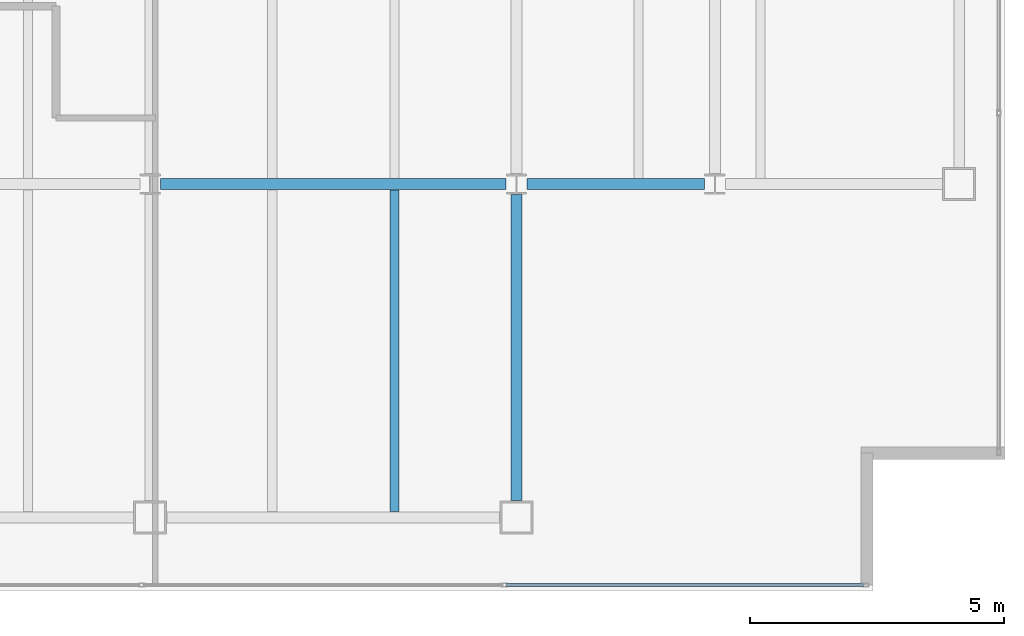
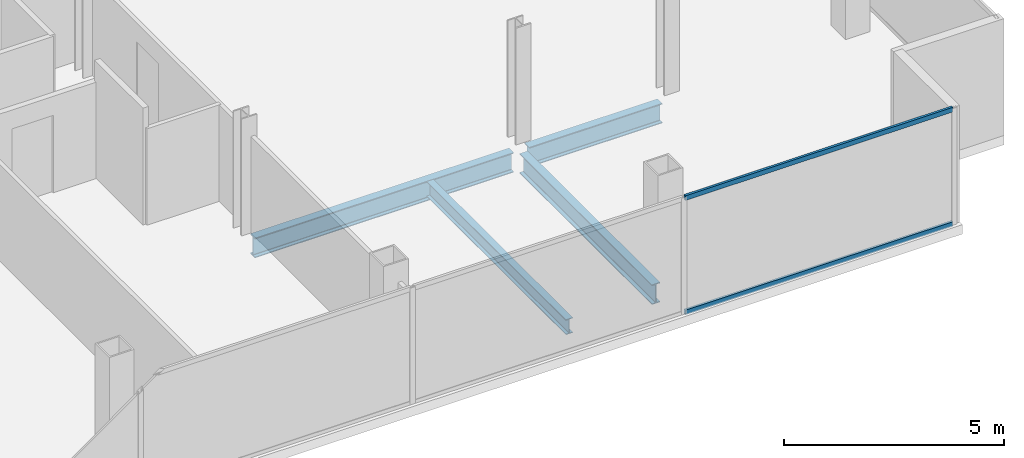
# One storey, part 13 of 23: 4 beams, 2 members, 1 element without a shape of its own.
"""IFC4 building model written with IfcOpenShell, lengths in metres."""

from ifc_helpers import new_model, si_unit, direction, frame, origin, origin_2d, place, context, subcontext, project, spatial, hollow_rectangle, i_section, extrude, material, material_profile, profile_set, type_object, element, aggregate, save


model = new_model("IFC4")

# Units and contexts
model_context = context("Model", 3, precision=1e-05, world=origin(), true_north=direction((0.0, 1.0)))
body_context = subcontext(model_context, "Body", "Model", "MODEL_VIEW")
ifc_project = project(units=[si_unit("LENGTHUNIT", "METRE"), si_unit("AREAUNIT", "SQUARE_METRE"), si_unit("VOLUMEUNIT", "CUBIC_METRE"), si_unit("PLANEANGLEUNIT", "RADIAN"), si_unit("MASSUNIT", "GRAM", prefix="KILO")], contexts=[model_context])

# Site, building, storey
site_placement = place(None, origin())
site = spatial("IfcSite", under=ifc_project, at=site_placement, CompositionType="ELEMENT")
building_placement = place(site_placement, origin())
building = spatial("IfcBuilding", under=site, at=building_placement, Name="Cobrela Telecom Tower", CompositionType="ELEMENT")
storey_placement = place(building_placement, frame((0.0, 0.0, 265.64990234375)))
storey = spatial("IfcBuildingStorey", under=building, at=storey_placement, Name="L69", CompositionType="ELEMENT", Elevation=265.64990234375)

# Beams
ifc_material_1 = material(Name="Steel ASTM A992 Grade 50", Category="steel")
ifc_material_profile_1 = material_profile(ifc_material_1, i_section(OverallWidth=0.212890625, OverallDepth=0.549072265625, WebThickness=0.0146484375, FlangeThickness=0.023681640625, FilletRadius=0.013916015625, at=origin_2d()), Name="W21X93")
ifc_profile_set_1 = profile_set([ifc_material_profile_1], Name="Steel ASTM A992 Grade 50")
beam_type_1 = type_object("IfcBeamType", Name="BM-GIRD-08", PredefinedType="USERDEFINED", material=ifc_profile_set_1)
beam_1_placement = place(storey_placement, frame((29.00439453125, 14.39990234375, -0.534423828125), z_axis=(1.0, 0.0, 0.0), x_axis=(0.0, 1.0, 0.0)))
element("IfcBeam", 1, at=beam_1_placement, inside=storey, type_object=beam_type_1, Name="L69 Primary Girder X07", ObjectType="GIRDER", PredefinedType="USERDEFINED", context=body_context, shape_type="SweptSolid", body=[
    extrude(i_section(OverallWidth=0.212890625, OverallDepth=0.549072265625, WebThickness=0.0146484375, FlangeThickness=0.023681640625, FilletRadius=0.013916015625, at=origin_2d()), origin(), (0.0, 0.0, 1.0), 6.791015625),
])
beam_2_placement = place(storey_placement, frame((36.20458984375, 14.39990234375, -0.534423828125), z_axis=(1.0, 0.0, 0.0), x_axis=(0.0, 1.0, 0.0)))
element("IfcBeam", 2, at=beam_2_placement, inside=storey, type_object=beam_type_1, Name="L69 Primary Girder X08", ObjectType="GIRDER", PredefinedType="USERDEFINED", context=body_context, shape_type="SweptSolid", body=[
    extrude(i_section(OverallWidth=0.212890625, OverallDepth=0.549072265625, WebThickness=0.0146484375, FlangeThickness=0.023681640625, FilletRadius=0.013916015625, at=origin_2d()), origin(), (0.0, 0.0, 1.0), 3.490966796875),
])
beam_3_placement = place(storey_placement, frame((36.0, 8.179931640625, -0.534423828125), z_axis=(0.0, 1.0, 0.0), x_axis=(-1.0, 0.0, 0.0)))
element("IfcBeam", 3, at=beam_3_placement, inside=storey, type_object=beam_type_1, Name="L69 Primary Girder Y31", ObjectType="GIRDER", PredefinedType="USERDEFINED", context=body_context, shape_type="SweptSolid", body=[
    extrude(i_section(OverallWidth=0.212890625, OverallDepth=0.549072265625, WebThickness=0.0146484375, FlangeThickness=0.023681640625, FilletRadius=0.013916015625, at=origin_2d()), origin(), (0.0, 0.0, 1.0), 6.015625),
])
ifc_material_profile_2 = material_profile(ifc_material_1, i_section(OverallWidth=0.179931640625, OverallDepth=0.4169921875, WebThickness=0.010986328125, FlangeThickness=0.01806640625, FilletRadius=0.011962890625, at=origin_2d()), Name="W16X57")
ifc_profile_set_2 = profile_set([ifc_material_profile_2], Name="Steel ASTM A992 Grade 50")
beam_type_2 = type_object("IfcBeamType", Name="BM-JOIST-04", PredefinedType="JOIST", material=ifc_profile_set_2)
beam_4_placement = place(storey_placement, frame((33.60009765625, 7.96142578125, -0.468505859375), z_axis=(0.0, 1.0, 0.0), x_axis=(-1.0, 0.0, 0.0)))
element("IfcBeam", 4, at=beam_4_placement, inside=storey, type_object=beam_type_2, Name="L69 Secondary Composite Floor Beam J13", PredefinedType="JOIST", context=body_context, shape_type="SweptSolid", body=[
    extrude(i_section(OverallWidth=0.179931640625, OverallDepth=0.4169921875, WebThickness=0.010986328125, FlangeThickness=0.01806640625, FilletRadius=0.011962890625, at=origin_2d()), origin(), (0.0, 0.0, 1.0), 6.3271484375),
])

# Curtain wall, members
ifc_material_2 = material(Name="Anodized Bronze Aluminium 6063-T6", Category="aluminium")
curtain_wall_type = type_object("IfcCurtainWallType", Name="CW-SYS-OFF-HI", PredefinedType="USERDEFINED", material=ifc_material_2)
curtain_wall_placement = place(storey_placement, origin())
curtain_wall = element("IfcCurtainWall", 5, at=curtain_wall_placement, inside=storey, type_object=curtain_wall_type, Name="L69 Unitised Bronze Curtain Wall 15", ObjectType="UNITISED CURTAIN WALL", PredefinedType="USERDEFINED")
ifc_material_profile_3 = material_profile(ifc_material_2, hollow_rectangle(XDim=0.06494140625, YDim=0.1298828125, WallThickness=0.00390625, at=origin_2d()), Name="ALU 65x130x4")
ifc_profile_set_3 = profile_set([ifc_material_profile_3], Name="Anodized Bronze Aluminium 6063-T6")
member_type = type_object("IfcMemberType", Name="CW-SYS-OFF-HI-TRN", PredefinedType="USERDEFINED", material=ifc_profile_set_3)
member_1_placement = place(storey_placement, frame((42.820068359375, 6.52001953125, 0.03271484375), z_axis=(-1.0, 0.0, 0.0), x_axis=(0.0, -1.0, 0.0)))
member_1 = element("IfcMember", 6, at=member_1_placement, type_object=member_type, Name="CW-OFF-HI transom 1.1", ObjectType="TRANSOM", PredefinedType="USERDEFINED", context=body_context, shape_type="SweptSolid", body=[
    extrude(hollow_rectangle(XDim=0.06494140625, YDim=0.1298828125, WallThickness=0.00390625, at=origin_2d()), origin(), (0.0, 0.0, 1.0), 7.0234375),
])
member_2_placement = place(storey_placement, frame((42.820068359375, 6.52001953125, 3.20751953125), z_axis=(-1.0, 0.0, 0.0), x_axis=(0.0, -1.0, 0.0)))
member_2 = element("IfcMember", 7, at=member_2_placement, type_object=member_type, Name="CW-OFF-HI transom 1.2", ObjectType="TRANSOM", PredefinedType="USERDEFINED", context=body_context, shape_type="SweptSolid", body=[
    extrude(hollow_rectangle(XDim=0.06494140625, YDim=0.1298828125, WallThickness=0.00390625, at=origin_2d()), origin(), (0.0, 0.0, 1.0), 7.0234375),
])
aggregate(curtain_wall, [member_1, member_2])

save(model, "model.ifc")
